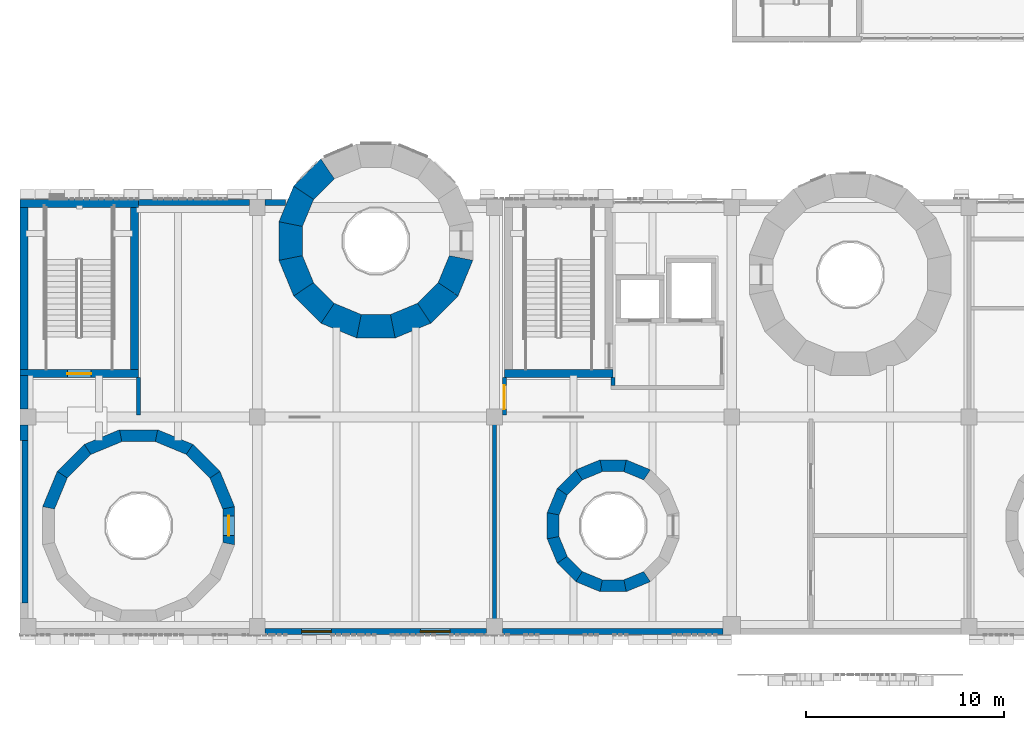
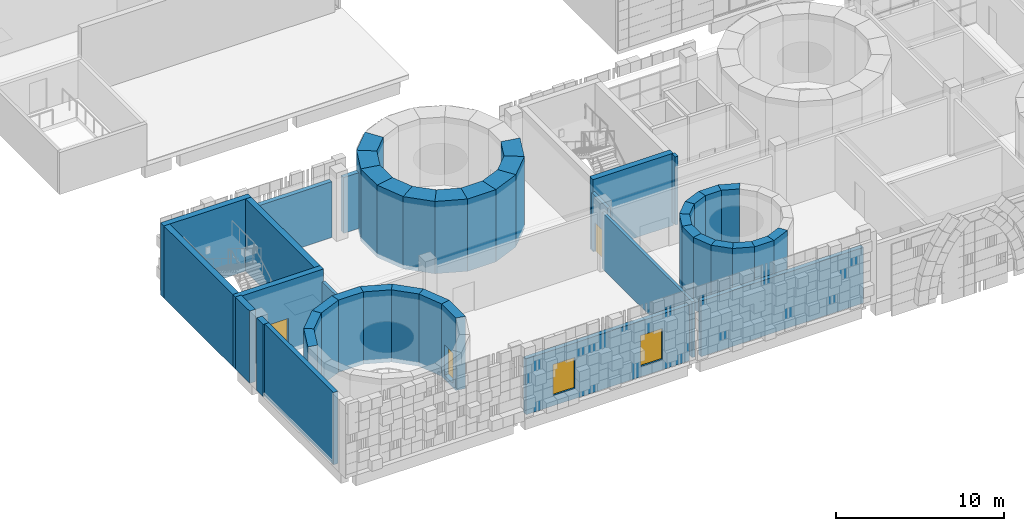
# One storey, part 64 of 125: 45 walls, 3 doors, 2 windows, 5 openings.
"""IFC4 building model written with IfcOpenShell, lengths in metres."""

from ifc_helpers import new_model, si_unit, direction, frame, frame_2d, origin, place, context, subcontext, project, spatial, polyline, rectangle, outline, extrude, material, layer, layer_set, type_object, element, fill, save


model = new_model("IFC4")

# Units and contexts
model_context = context("Model", 3, precision=1e-05, world=origin(), true_north=direction((0.0, 1.0)))
body_context = subcontext(model_context, "Body", "Model", "MODEL_VIEW")
ifc_project = project(units=[si_unit("LENGTHUNIT", "METRE"), si_unit("AREAUNIT", "SQUARE_METRE"), si_unit("VOLUMEUNIT", "CUBIC_METRE"), si_unit("PLANEANGLEUNIT", "RADIAN"), si_unit("MASSUNIT", "GRAM", prefix="KILO")], contexts=[model_context])

# Site, building, storey
site_placement = place(None, origin())
site = spatial("IfcSite", under=ifc_project, at=site_placement, CompositionType="ELEMENT")
building_placement = place(site_placement, origin())
building = spatial("IfcBuilding", under=site, at=building_placement, Name="Sun Court Science Centre", CompositionType="ELEMENT")
storey_placement = place(building_placement, frame((0.0, 0.0, 6.0)))
storey = spatial("IfcBuildingStorey", under=building, at=storey_placement, Name="L01", CompositionType="ELEMENT", Elevation=6.0)

# Wall
ifc_material_1 = material(Name="Clay masonry", Category="masonry")
ifc_layer_1 = layer(ifc_material_1, 0.300048828125)
ifc_layer_set_1 = layer_set([ifc_layer_1], Name="Clay masonry")
wall_type_1 = type_object("IfcWallType", Name="Clay masonry infill wall 300", PredefinedType="SOLIDWALL", material=ifc_layer_set_1)
wall_1_placement = place(storey_placement, frame((35.550048828125, 6.14990234375, 0.0), z_axis=(0.0, 0.0, 1.0), x_axis=(-1.0, 0.0, 0.0)))
element("IfcWall", 1, at=wall_1_placement, inside=storey, type_object=wall_type_1, Name="External infill wall L01 south face 04", PredefinedType="SOLIDWALL", context=body_context, shape_type="SweptSolid", body=[
    extrude(rectangle(XDim=11.150146484375, YDim=0.300048828125, at=frame_2d((5.5751953125, 0.0))), origin(), (0.0, 0.0, 1.0), 4.050048828125),
])

# Wall, openings, windows
wall_2_placement = place(storey_placement, frame((23.60009765625, 6.14990234375, 0.0), z_axis=(0.0, 0.0, 1.0), x_axis=(-1.0, 0.0, 0.0)))
wall_2 = element("IfcWall", 2, at=wall_2_placement, inside=storey, type_object=wall_type_1, Name="External infill wall L01 south face 05", PredefinedType="SOLIDWALL", context=body_context, shape_type="SweptSolid", body=[
    extrude(rectangle(XDim=11.2001953125, YDim=0.300048828125, at=frame_2d((5.60009765625, 0.0))), origin(), (0.0, 0.0, 1.0), 4.050048828125),
])
opening_1_placement = place(wall_2_placement, frame((7.85009765625, 0.0, 0.75)))
opening_1 = element("IfcOpeningElement", 3, at=opening_1_placement, cuts=wall_2, Name="Opening WN-L01-001", PredefinedType="OPENING", context=body_context, shape_type="SweptSolid", body=[
    extrude(rectangle(XDim=1.5, YDim=2.25, at=frame_2d((0.75, 1.125))), frame((0.0, 0.159912109375, 0.0), z_axis=(0.0, -1.0, 0.0), x_axis=(1.0, 0.0, 0.0)), (0.0, 0.0, 1.0), 0.320068359375),
])
opening_2_placement = place(wall_2_placement, frame((1.85009765625, 0.0, 0.75)))
opening_2 = element("IfcOpeningElement", 4, at=opening_2_placement, cuts=wall_2, Name="Opening WN-L01-002", PredefinedType="OPENING", context=body_context, shape_type="SweptSolid", body=[
    extrude(rectangle(XDim=1.5, YDim=2.25, at=frame_2d((0.75, 1.125))), frame((0.0, 0.159912109375, 0.0), z_axis=(0.0, -1.0, 0.0), x_axis=(1.0, 0.0, 0.0)), (0.0, 0.0, 1.0), 0.320068359375),
])
ifc_material_2 = material(Name="Aluminium frame, 6-12-6 glazing", Category="aluminium")
window_type = type_object("IfcWindowType", Name="Slot window 1500 x 2250", PartitioningType="SINGLE_PANEL", PredefinedType="WINDOW", material=ifc_material_2)
window_1_placement = place(opening_1_placement, origin())
window_1 = element("IfcWindow", 5, at=window_1_placement, inside=storey, type_object=window_type, Name="Window WN2 L01 south face 01", OverallHeight=2.25, OverallWidth=1.5, PartitioningType="SINGLE_PANEL", PredefinedType="WINDOW", context=body_context, shape_type="SweptSolid", body=[
    extrude(rectangle(XDim=1.5, YDim=2.25, at=frame_2d((0.75, 1.125))), frame((0.0, 0.030029296875, 0.0), z_axis=(0.0, -1.0, 0.0), x_axis=(1.0, 0.0, 0.0)), (0.0, 0.0, 1.0), 0.06005859375),
])
fill(opening_1, window_1)
window_2_placement = place(opening_2_placement, origin())
window_2 = element("IfcWindow", 6, at=window_2_placement, inside=storey, type_object=window_type, Name="Window WN2 L01 south face 02", OverallHeight=2.25, OverallWidth=1.5, PartitioningType="SINGLE_PANEL", PredefinedType="WINDOW", context=body_context, shape_type="SweptSolid", body=[
    extrude(rectangle(XDim=1.5, YDim=2.25, at=frame_2d((0.75, 1.125))), frame((0.0, 0.030029296875, 0.0), z_axis=(0.0, -1.0, 0.0), x_axis=(1.0, 0.0, 0.0)), (0.0, 0.0, 1.0), 0.06005859375),
])
fill(opening_2, window_2)

# Walls
wall_3_placement = place(storey_placement, frame((6.0, 27.85009765625, 0.0), z_axis=(0.0, 0.0, 1.0), x_axis=(1.0, 0.0, 0.0)))
element("IfcWall", 7, at=wall_3_placement, inside=storey, type_object=wall_type_1, Name="External infill wall L01 north face 01", PredefinedType="SOLIDWALL", context=body_context, shape_type="SweptSolid", body=[
    extrude(rectangle(XDim=5.60009765625, YDim=0.300048828125, at=frame_2d((2.800048828125, 0.0))), origin(), (0.0, 0.0, 1.0), 4.050048828125),
])
wall_4_placement = place(storey_placement, frame((12.39990234375, 27.85009765625, 0.0), z_axis=(0.0, 0.0, 1.0), x_axis=(1.0, 0.0, 0.0)))
element("IfcWall", 8, at=wall_4_placement, inside=storey, type_object=wall_type_1, Name="External infill wall L01 north face 02", PredefinedType="SOLIDWALL", context=body_context, shape_type="SweptSolid", body=[
    extrude(rectangle(XDim=1.03759765625, YDim=0.300048828125, at=frame_2d((0.518798828125, 0.0))), origin(), (0.0, 0.0, 1.0), 4.050048828125),
])
ifc_material_3 = material(Name="Concrete block", Category="concrete")
ifc_layer_2 = layer(ifc_material_3, 0.199951171875)
ifc_layer_set_2 = layer_set([ifc_layer_2], Name="Concrete block")
wall_type_2 = type_object("IfcWallType", Name="Partition 200 block EI60", PredefinedType="PARTITIONING", material=ifc_layer_set_2)
wall_5_placement = place(storey_placement, frame((30.0, 18.60009765625, 0.0), z_axis=(0.0, 0.0, 1.0), x_axis=(0.0, 1.0, 0.0)))
element("IfcWall", 9, at=wall_5_placement, inside=storey, type_object=wall_type_2, Name="L01 partition 017", PredefinedType="PARTITIONING", context=body_context, shape_type="SweptSolid", body=[
    extrude(rectangle(XDim=0.39794921875, YDim=0.199951171875, at=frame_2d((0.198974609375, 0.0))), origin(), (0.0, 0.0, 1.0), 4.949951171875),
])

# Wall, opening, door
ifc_material_4 = material(Name="Gypsum board")
ifc_layer_3 = layer(ifc_material_4, 0.199951171875)
ifc_layer_set_3 = layer_set([ifc_layer_3], Name="Gypsum board")
wall_type_3 = type_object("IfcWallType", Name="Partition 200 stud EI30", PredefinedType="PARTITIONING", material=ifc_layer_set_3)
wall_6_placement = place(storey_placement, frame((24.5, 18.998046875, 0.0), z_axis=(0.0, 0.0, 1.0), x_axis=(0.0, -1.0, 0.0)))
wall_6 = element("IfcWall", 10, at=wall_6_placement, inside=storey, type_object=wall_type_3, Name="L01 partition 018", PredefinedType="PARTITIONING", context=body_context, shape_type="SweptSolid", body=[
    extrude(rectangle(XDim=1.89794921875, YDim=0.199951171875, at=frame_2d((0.948974609375, 0.0))), origin(), (0.0, 0.0, 1.0), 4.050048828125),
])
opening_3_placement = place(wall_6_placement, frame((0.39697265625, 0.0, 0.0)))
opening_3 = element("IfcOpeningElement", 11, at=opening_3_placement, cuts=wall_6, Name="Opening D-L01-019", PredefinedType="OPENING", context=body_context, shape_type="SweptSolid", body=[
    extrude(rectangle(XDim=1.199951171875, YDim=2.10009765625, at=frame_2d((0.60009765625, 1.050048828125))), frame((0.0, 0.10986328125, 0.0), z_axis=(0.0, -1.0, 0.0), x_axis=(1.0, 0.0, 0.0)), (0.0, 0.0, 1.0), 0.219970703125),
])
ifc_material_5 = material(Name="Timber", Category="wood")
door_type_1 = type_object("IfcDoorType", Name="Door 1200x2100 single leaf", OperationType="NOTDEFINED", PredefinedType="DOOR", material=ifc_material_5)
door_1_placement = place(opening_3_placement, origin())
door_1 = element("IfcDoor", 12, at=door_1_placement, inside=storey, type_object=door_type_1, Name="Door D-L01-019", OperationType="SINGLE_SWING_LEFT", OverallHeight=2.10009765625, OverallWidth=1.199951171875, PredefinedType="DOOR", context=body_context, shape_type="SweptSolid", body=[
    extrude(rectangle(XDim=1.199951171875, YDim=2.10009765625, at=frame_2d((0.60009765625, 1.050048828125))), frame((0.0, 0.02490234375, 0.0), z_axis=(0.0, -1.0, 0.0), x_axis=(1.0, 0.0, 0.0)), (0.0, 0.0, 1.0), 0.050048828125),
])
fill(opening_3, door_1)

# Walls
wall_7_placement = place(storey_placement, frame((24.0, 6.199951171875, 0.0), z_axis=(0.0, 0.0, 1.0), x_axis=(0.0, 1.0, 0.0)))
element("IfcWall", 13, at=wall_7_placement, inside=storey, type_object=wall_type_3, Name="L01 partition 019", PredefinedType="PARTITIONING", context=body_context, shape_type="SweptSolid", body=[
    extrude(rectangle(XDim=10.699951171875, YDim=0.199951171875, at=frame_2d((5.35009765625, 0.0))), origin(), (0.0, 0.0, 1.0), 4.050048828125),
])
wall_8_placement = place(storey_placement, frame((6.0, 17.10009765625, 0.0), z_axis=(0.0, 0.0, 1.0), x_axis=(0.0, 1.0, 0.0)))
element("IfcWall", 14, at=wall_8_placement, inside=storey, type_object=wall_type_3, Name="L01 partition 020", PredefinedType="PARTITIONING", context=body_context, shape_type="SweptSolid", body=[
    extrude(rectangle(XDim=1.89794921875, YDim=0.199951171875, at=frame_2d((0.948974609375, 0.0))), origin(), (0.0, 0.0, 1.0), 4.050048828125),
])
ifc_material_6 = material(Name="Concrete C30/37", Category="concrete")
ifc_layer_4 = layer(ifc_material_6, 1.18798828125)
ifc_layer_set_4 = layer_set([ifc_layer_4], Name="Concrete C30/37")
wall_type_4 = type_object("IfcWallType", Name="RC cone ring wall 1188", PredefinedType="SHEAR", material=ifc_layer_set_4)
wall_9_placement = place(storey_placement, frame((15.642333984375, 29.63720703125, -0.300048828125), z_axis=(0.0, 0.0, 1.0), x_axis=(-0.707044208134, -0.707169348702, 0.0)))
element("IfcWall", 15, at=wall_9_placement, inside=storey, type_object=wall_type_4, Name="Cone 2 ring wall L01 segment 6", PredefinedType="SHEAR", context=body_context, shape_type="SweptSolid", body=[
    extrude(outline(polyline([(0.0, -0.59423828125), (1.95068359375, -0.594482421875), (1.714599609375, 0.593994140625), (0.236328125, 0.59423828125), (0.0, -0.59423828125)])), origin(), (0.0, 0.0, 1.0), 5.25),
])
wall_10_placement = place(storey_placement, frame((14.3916015625, 28.450439453125, -0.300048828125), z_axis=(0.0, 0.0, 1.0), x_axis=(-0.382668614316, -0.923885670209, 0.0)))
element("IfcWall", 16, at=wall_10_placement, inside=storey, type_object=wall_type_4, Name="Cone 2 ring wall L01 segment 7", PredefinedType="SHEAR", context=body_context, shape_type="SweptSolid", body=[
    extrude(outline(polyline([(-0.000244140625, -0.59423828125), (1.95068359375, -0.59423828125), (1.714599609375, 0.59423828125), (0.236328125, 0.59423828125), (-0.000244140625, -0.59423828125)])), origin(), (0.0, 0.0, 1.0), 5.25),
])
wall_11_placement = place(storey_placement, frame((13.6904296875, 26.87548828125, -0.300048828125), z_axis=(0.0, 0.0, 1.0), x_axis=(0.0, -1.0, 0.0)))
element("IfcWall", 17, at=wall_11_placement, inside=storey, type_object=wall_type_4, Name="Cone 2 ring wall L01 segment 8", PredefinedType="SHEAR", context=body_context, shape_type="SweptSolid", body=[
    extrude(outline(polyline([(0.0, -0.59423828125), (1.950927734375, -0.59423828125), (1.714599609375, 0.593994140625), (0.236572265625, 0.593994140625), (0.0, -0.59423828125)])), origin(), (0.0, 0.0, 1.0), 5.25),
])
wall_12_placement = place(storey_placement, frame((13.64501953125, 25.15185546875, -0.300048828125), z_axis=(0.0, 0.0, 1.0), x_axis=(0.382712860146, -0.923867342576, 0.0)))
element("IfcWall", 18, at=wall_12_placement, inside=storey, type_object=wall_type_4, Name="Cone 2 ring wall L01 segment 9", PredefinedType="SHEAR", context=body_context, shape_type="SweptSolid", body=[
    extrude(outline(polyline([(0.0, -0.593994140625), (1.950927734375, -0.59423828125), (1.71435546875, 0.59423828125), (0.236328125, 0.59423828125), (0.0, -0.593994140625)])), origin(), (0.0, 0.0, 1.0), 5.25),
])
wall_13_placement = place(storey_placement, frame((14.262939453125, 23.542236328125, -0.300048828125), z_axis=(0.0, 0.0, 1.0), x_axis=(0.707106781187, -0.707106781187, 0.0)))
element("IfcWall", 19, at=wall_13_placement, inside=storey, type_object=wall_type_4, Name="Cone 2 ring wall L01 segment 10", PredefinedType="SHEAR", context=body_context, shape_type="SweptSolid", body=[
    extrude(outline(polyline([(0.0, -0.59423828125), (1.95068359375, -0.59423828125), (1.71435546875, 0.594482421875), (0.236083984375, 0.59423828125), (0.0, -0.59423828125)])), origin(), (0.0, 0.0, 1.0), 5.25),
])
wall_14_placement = place(storey_placement, frame((15.449462890625, 22.291748046875, -0.300048828125), z_axis=(0.0, 0.0, 1.0), x_axis=(0.923885670209, -0.382668614316, 0.0)))
element("IfcWall", 20, at=wall_14_placement, inside=storey, type_object=wall_type_4, Name="Cone 2 ring wall L01 segment 11", PredefinedType="SHEAR", context=body_context, shape_type="SweptSolid", body=[
    extrude(outline(polyline([(0.0, -0.59423828125), (1.950927734375, -0.59423828125), (1.714599609375, 0.59423828125), (0.236572265625, 0.59423828125), (0.0, -0.59423828125)])), origin(), (0.0, 0.0, 1.0), 5.25),
])
wall_15_placement = place(storey_placement, frame((17.024658203125, 21.59033203125, -0.300048828125), z_axis=(0.0, 0.0, 1.0), x_axis=(1.0, 0.0, 0.0)))
element("IfcWall", 21, at=wall_15_placement, inside=storey, type_object=wall_type_4, Name="Cone 2 ring wall L01 segment 12", PredefinedType="SHEAR", context=body_context, shape_type="SweptSolid", body=[
    extrude(outline(polyline([(-0.000244140625, -0.59423828125), (1.950927734375, -0.59423828125), (1.71435546875, 0.59423828125), (0.236328125, 0.59423828125), (-0.000244140625, -0.59423828125)])), origin(), (0.0, 0.0, 1.0), 5.25),
])
wall_16_placement = place(storey_placement, frame((18.748046875, 21.545166015625, -0.300048828125), z_axis=(0.0, 0.0, 1.0), x_axis=(0.923885670209, 0.382668614316, 0.0)))
element("IfcWall", 22, at=wall_16_placement, inside=storey, type_object=wall_type_4, Name="Cone 2 ring wall L01 segment 13", PredefinedType="SHEAR", context=body_context, shape_type="SweptSolid", body=[
    extrude(outline(polyline([(0.0, -0.59423828125), (1.950927734375, -0.59423828125), (1.71435546875, 0.59423828125), (0.236328125, 0.59423828125), (0.0, -0.59423828125)])), origin(), (0.0, 0.0, 1.0), 5.25),
])
wall_17_placement = place(storey_placement, frame((20.357666015625, 22.162841796875, -0.300048828125), z_axis=(0.0, 0.0, 1.0), x_axis=(0.707106781187, 0.707106781187, 0.0)))
element("IfcWall", 23, at=wall_17_placement, inside=storey, type_object=wall_type_4, Name="Cone 2 ring wall L01 segment 14", PredefinedType="SHEAR", context=body_context, shape_type="SweptSolid", body=[
    extrude(outline(polyline([(0.0, -0.59423828125), (1.95068359375, -0.59423828125), (1.714599609375, 0.59423828125), (0.236328125, 0.594482421875), (0.0, -0.59423828125)])), origin(), (0.0, 0.0, 1.0), 5.25),
])
wall_18_placement = place(storey_placement, frame((21.6083984375, 23.349609375, -0.300048828125), z_axis=(0.0, 0.0, 1.0), x_axis=(0.382712860146, 0.923867342576, 0.0)))
element("IfcWall", 24, at=wall_18_placement, inside=storey, type_object=wall_type_4, Name="Cone 2 ring wall L01 segment 15", PredefinedType="SHEAR", context=body_context, shape_type="SweptSolid", body=[
    extrude(outline(polyline([(-0.000244140625, -0.59423828125), (1.950927734375, -0.593994140625), (1.71435546875, 0.59423828125), (0.236328125, 0.59423828125), (-0.000244140625, -0.59423828125)])), origin(), (0.0, 0.0, 1.0), 5.25),
])
ifc_material_7 = material(Name="Concrete C30/37", Category="concrete")
ifc_layer_5 = layer(ifc_material_7, 0.60009765625)
ifc_layer_set_5 = layer_set([ifc_layer_5], Name="Concrete C30/37")
wall_type_5 = type_object("IfcWallType", Name="RC cone ring wall 600", PredefinedType="SHEAR", material=ifc_layer_set_5)
wall_19_placement = place(storey_placement, frame((10.57763671875, 12.350830078125, -0.300048828125), z_axis=(0.0, 0.0, 1.0), x_axis=(-0.382630895081, 0.923901292417, 0.0)))
element("IfcWall", 25, at=wall_19_placement, inside=storey, type_object=wall_type_5, Name="Cone 1 ring wall L01 segment 1", PredefinedType="SHEAR", context=body_context, shape_type="SweptSolid", body=[
    extrude(outline(polyline([(0.0, -0.30029296875), (1.931396484375, -0.2998046875), (1.81201171875, 0.300048828125), (0.119140625, 0.300048828125), (0.0, -0.30029296875)])), origin(), (0.0, 0.0, 1.0), 5.25),
])
wall_20_placement = place(storey_placement, frame((9.903564453125, 14.037841796875, -0.300048828125), z_axis=(0.0, 0.0, 1.0), x_axis=(-0.707106781187, 0.707106781187, 0.0)))
element("IfcWall", 26, at=wall_20_placement, inside=storey, type_object=wall_type_5, Name="Cone 1 ring wall L01 segment 2", PredefinedType="SHEAR", context=body_context, shape_type="SweptSolid", body=[
    extrude(outline(polyline([(0.0, -0.300048828125), (1.931396484375, -0.300048828125), (1.81201171875, 0.2998046875), (0.119384765625, 0.2998046875), (0.0, -0.300048828125)])), origin(), (0.0, 0.0, 1.0), 5.25),
])
wall_21_placement = place(storey_placement, frame((8.63525390625, 15.338623046875, -0.300048828125), z_axis=(0.0, 0.0, 1.0), x_axis=(-0.923901292417, 0.382630895081, 0.0)))
element("IfcWall", 27, at=wall_21_placement, inside=storey, type_object=wall_type_5, Name="Cone 1 ring wall L01 segment 3", PredefinedType="SHEAR", context=body_context, shape_type="SweptSolid", body=[
    extrude(outline(polyline([(0.0, -0.2998046875), (1.931396484375, -0.30029296875), (1.812255859375, 0.300048828125), (0.119384765625, 0.300048828125), (0.0, -0.2998046875)])), origin(), (0.0, 0.0, 1.0), 5.25),
])
wall_22_placement = place(storey_placement, frame((6.965576171875, 16.054931640625, -0.300048828125), z_axis=(0.0, 0.0, 1.0), x_axis=(-1.0, 0.0, 0.0)))
element("IfcWall", 28, at=wall_22_placement, inside=storey, type_object=wall_type_5, Name="Cone 1 ring wall L01 segment 4", PredefinedType="SHEAR", context=body_context, shape_type="SweptSolid", body=[
    extrude(outline(polyline([(-0.000244140625, -0.300048828125), (1.931396484375, -0.300048828125), (1.811767578125, 0.300048828125), (0.119384765625, 0.300048828125), (-0.000244140625, -0.300048828125)])), origin(), (0.0, 0.0, 1.0), 5.25),
])
wall_23_placement = place(storey_placement, frame((5.149169921875, 16.07763671875, -0.300048828125), z_axis=(0.0, 0.0, 1.0), x_axis=(-0.923901292417, -0.382630895081, 0.0)))
element("IfcWall", 29, at=wall_23_placement, inside=storey, type_object=wall_type_5, Name="Cone 1 ring wall L01 segment 5", PredefinedType="SHEAR", context=body_context, shape_type="SweptSolid", body=[
    extrude(outline(polyline([(0.0, -0.30029296875), (1.931396484375, -0.2998046875), (1.81201171875, 0.300048828125), (0.119140625, 0.300048828125), (0.0, -0.30029296875)])), origin(), (0.0, 0.0, 1.0), 5.25),
])
wall_24_placement = place(storey_placement, frame((3.462158203125, 15.403564453125, -0.300048828125), z_axis=(0.0, 0.0, 1.0), x_axis=(-0.707106781187, -0.707106781187, 0.0)))
element("IfcWall", 30, at=wall_24_placement, inside=storey, type_object=wall_type_5, Name="Cone 1 ring wall L01 segment 6", PredefinedType="SHEAR", context=body_context, shape_type="SweptSolid", body=[
    extrude(outline(polyline([(0.0, -0.300048828125), (1.931396484375, -0.300048828125), (1.81201171875, 0.2998046875), (0.119384765625, 0.2998046875), (0.0, -0.300048828125)])), origin(), (0.0, 0.0, 1.0), 5.25),
])
wall_25_placement = place(storey_placement, frame((2.161376953125, 14.13525390625, -0.300048828125), z_axis=(0.0, 0.0, 1.0), x_axis=(-0.382630895081, -0.923901292417, 0.0)))
element("IfcWall", 31, at=wall_25_placement, inside=storey, type_object=wall_type_5, Name="Cone 1 ring wall L01 segment 7", PredefinedType="SHEAR", context=body_context, shape_type="SweptSolid", body=[
    extrude(outline(polyline([(0.0, -0.2998046875), (1.931396484375, -0.30029296875), (1.812255859375, 0.300048828125), (0.119384765625, 0.300048828125), (0.0, -0.2998046875)])), origin(), (0.0, 0.0, 1.0), 5.25),
])

# Wall, opening, door
wall_26_placement = place(storey_placement, frame((10.554931640625, 10.534423828125, -0.300048828125), z_axis=(0.0, 0.0, 1.0), x_axis=(0.0, 1.0, 0.0)))
wall_26 = element("IfcWall", 32, at=wall_26_placement, inside=storey, type_object=wall_type_5, Name="Cone 1 ring wall L01 segment 16", PredefinedType="SHEAR", context=body_context, shape_type="SweptSolid", body=[
    extrude(outline(polyline([(-0.000244140625, -0.300048828125), (1.931396484375, -0.300048828125), (1.811767578125, 0.300048828125), (0.119384765625, 0.300048828125), (-0.000244140625, -0.300048828125)])), origin(), (0.0, 0.0, 1.0), 5.25),
])
opening_4_placement = place(wall_26_placement, frame((0.465576171875, 0.0, 0.300048828125)))
opening_4 = element("IfcOpeningElement", 33, at=opening_4_placement, cuts=wall_26, Name="Opening D-L01-020", PredefinedType="OPENING", context=body_context, shape_type="SweptSolid", body=[
    extrude(rectangle(XDim=1.0, YDim=2.199951171875, at=frame_2d((0.5, 1.10009765625))), frame((0.0, 0.31005859375, 0.0), z_axis=(0.0, -1.0, 0.0), x_axis=(1.0, 0.0, 0.0)), (0.0, 0.0, 1.0), 0.6201171875),
])
ifc_material_8 = material(Name="Timber", Category="wood")
door_type_2 = type_object("IfcDoorType", Name="Door 1000x2200 single leaf", OperationType="NOTDEFINED", PredefinedType="DOOR", material=ifc_material_8)
door_2_placement = place(opening_4_placement, origin())
door_2 = element("IfcDoor", 34, at=door_2_placement, inside=storey, type_object=door_type_2, Name="Door D-L01-020", OperationType="SINGLE_SWING_LEFT", OverallHeight=2.199951171875, OverallWidth=1.0, PredefinedType="DOOR", context=body_context, shape_type="SweptSolid", body=[
    extrude(rectangle(XDim=1.0, YDim=2.199951171875, at=frame_2d((0.5, 1.10009765625))), frame((0.0, 0.02490234375, 0.0), z_axis=(0.0, -1.0, 0.0), x_axis=(1.0, 0.0, 0.0)), (0.0, 0.0, 1.0), 0.050048828125),
])
fill(opening_4, door_2)

# Walls
wall_27_placement = place(storey_placement, frame((31.774169921875, 14.0498046875, -0.300048828125), z_axis=(0.0, 0.0, 1.0), x_axis=(-0.923837370253, 0.382785205205, 0.0)))
element("IfcWall", 35, at=wall_27_placement, inside=storey, type_object=wall_type_5, Name="Cone 3 ring wall L01 segment 3", PredefinedType="SHEAR", context=body_context, shape_type="SweptSolid", body=[
    extrude(outline(polyline([(0.0, -0.2998046875), (1.32666015625, -0.2998046875), (1.207275390625, 0.30029296875), (0.119384765625, 0.300048828125), (0.0, -0.2998046875)])), origin(), (0.0, 0.0, 1.0), 5.25),
])
wall_28_placement = place(storey_placement, frame((30.663330078125, 14.53466796875, -0.300048828125), z_axis=(0.0, 0.0, 1.0), x_axis=(-1.0, 0.0, 0.0)))
element("IfcWall", 36, at=wall_28_placement, inside=storey, type_object=wall_type_5, Name="Cone 3 ring wall L01 segment 4", PredefinedType="SHEAR", context=body_context, shape_type="SweptSolid", body=[
    extrude(outline(polyline([(0.0, -0.300048828125), (1.32666015625, -0.300048828125), (1.207275390625, 0.300048828125), (0.119384765625, 0.300048828125), (0.0, -0.300048828125)])), origin(), (0.0, 0.0, 1.0), 5.25),
])
wall_29_placement = place(storey_placement, frame((29.451416015625, 14.5576171875, -0.300048828125), z_axis=(0.0, 0.0, 1.0), x_axis=(-0.923837370253, -0.382785205205, 0.0)))
element("IfcWall", 37, at=wall_29_placement, inside=storey, type_object=wall_type_5, Name="Cone 3 ring wall L01 segment 5", PredefinedType="SHEAR", context=body_context, shape_type="SweptSolid", body=[
    extrude(outline(polyline([(0.0, -0.2998046875), (1.32666015625, -0.2998046875), (1.207275390625, 0.300048828125), (0.119384765625, 0.30029296875), (0.0, -0.2998046875)])), origin(), (0.0, 0.0, 1.0), 5.25),
])
wall_30_placement = place(storey_placement, frame((28.3232421875, 14.11474609375, -0.300048828125), z_axis=(0.0, 0.0, 1.0), x_axis=(-0.707106781187, -0.707106781187, 0.0)))
element("IfcWall", 38, at=wall_30_placement, inside=storey, type_object=wall_type_5, Name="Cone 3 ring wall L01 segment 6", PredefinedType="SHEAR", context=body_context, shape_type="SweptSolid", body=[
    extrude(outline(polyline([(0.0, -0.300048828125), (1.326416015625, -0.300048828125), (1.207275390625, 0.2998046875), (0.119384765625, 0.2998046875), (0.0, -0.300048828125)])), origin(), (0.0, 0.0, 1.0), 5.25),
])
wall_31_placement = place(storey_placement, frame((27.4501953125, 13.274169921875, -0.300048828125), z_axis=(0.0, 0.0, 1.0), x_axis=(-0.382785205205, -0.923837370253, 0.0)))
element("IfcWall", 39, at=wall_31_placement, inside=storey, type_object=wall_type_5, Name="Cone 3 ring wall L01 segment 7", PredefinedType="SHEAR", context=body_context, shape_type="SweptSolid", body=[
    extrude(outline(polyline([(0.0, -0.2998046875), (1.32666015625, -0.2998046875), (1.207275390625, 0.30029296875), (0.119384765625, 0.300048828125), (0.0, -0.2998046875)])), origin(), (0.0, 0.0, 1.0), 5.25),
])
wall_32_placement = place(storey_placement, frame((26.96533203125, 12.163330078125, -0.300048828125), z_axis=(0.0, 0.0, 1.0), x_axis=(0.0, -1.0, 0.0)))
element("IfcWall", 40, at=wall_32_placement, inside=storey, type_object=wall_type_5, Name="Cone 3 ring wall L01 segment 8", PredefinedType="SHEAR", context=body_context, shape_type="SweptSolid", body=[
    extrude(outline(polyline([(0.0, -0.300048828125), (1.32666015625, -0.300048828125), (1.207275390625, 0.300048828125), (0.119384765625, 0.300048828125), (0.0, -0.300048828125)])), origin(), (0.0, 0.0, 1.0), 5.25),
])
wall_33_placement = place(storey_placement, frame((26.9423828125, 10.951416015625, -0.300048828125), z_axis=(0.0, 0.0, 1.0), x_axis=(0.382785205205, -0.923837370253, 0.0)))
element("IfcWall", 41, at=wall_33_placement, inside=storey, type_object=wall_type_5, Name="Cone 3 ring wall L01 segment 9", PredefinedType="SHEAR", context=body_context, shape_type="SweptSolid", body=[
    extrude(outline(polyline([(0.0, -0.2998046875), (1.32666015625, -0.2998046875), (1.207275390625, 0.300048828125), (0.119384765625, 0.30029296875), (0.0, -0.2998046875)])), origin(), (0.0, 0.0, 1.0), 5.25),
])
wall_34_placement = place(storey_placement, frame((27.38525390625, 9.8232421875, -0.300048828125), z_axis=(0.0, 0.0, 1.0), x_axis=(0.707106781187, -0.707106781187, 0.0)))
element("IfcWall", 42, at=wall_34_placement, inside=storey, type_object=wall_type_5, Name="Cone 3 ring wall L01 segment 10", PredefinedType="SHEAR", context=body_context, shape_type="SweptSolid", body=[
    extrude(outline(polyline([(0.0, -0.300048828125), (1.326416015625, -0.300048828125), (1.207275390625, 0.2998046875), (0.119384765625, 0.2998046875), (0.0, -0.300048828125)])), origin(), (0.0, 0.0, 1.0), 5.25),
])
wall_35_placement = place(storey_placement, frame((28.225830078125, 8.9501953125, -0.300048828125), z_axis=(0.0, 0.0, 1.0), x_axis=(0.923837370253, -0.382785205205, 0.0)))
element("IfcWall", 43, at=wall_35_placement, inside=storey, type_object=wall_type_5, Name="Cone 3 ring wall L01 segment 11", PredefinedType="SHEAR", context=body_context, shape_type="SweptSolid", body=[
    extrude(outline(polyline([(0.0, -0.2998046875), (1.32666015625, -0.2998046875), (1.207275390625, 0.30029296875), (0.119384765625, 0.300048828125), (0.0, -0.2998046875)])), origin(), (0.0, 0.0, 1.0), 5.25),
])
wall_36_placement = place(storey_placement, frame((29.336669921875, 8.46533203125, -0.300048828125), z_axis=(0.0, 0.0, 1.0), x_axis=(1.0, 0.0, 0.0)))
element("IfcWall", 44, at=wall_36_placement, inside=storey, type_object=wall_type_5, Name="Cone 3 ring wall L01 segment 12", PredefinedType="SHEAR", context=body_context, shape_type="SweptSolid", body=[
    extrude(outline(polyline([(0.0, -0.300048828125), (1.32666015625, -0.300048828125), (1.207275390625, 0.300048828125), (0.119384765625, 0.300048828125), (0.0, -0.300048828125)])), origin(), (0.0, 0.0, 1.0), 5.25),
])
wall_37_placement = place(storey_placement, frame((30.548583984375, 8.4423828125, -0.300048828125), z_axis=(0.0, 0.0, 1.0), x_axis=(0.923837370253, 0.382785205205, 0.0)))
element("IfcWall", 45, at=wall_37_placement, inside=storey, type_object=wall_type_5, Name="Cone 3 ring wall L01 segment 13", PredefinedType="SHEAR", context=body_context, shape_type="SweptSolid", body=[
    extrude(outline(polyline([(0.0, -0.2998046875), (1.32666015625, -0.2998046875), (1.207275390625, 0.300048828125), (0.119384765625, 0.30029296875), (0.0, -0.2998046875)])), origin(), (0.0, 0.0, 1.0), 5.25),
])
ifc_material_9 = material(Name="Concrete C30/37", Category="concrete")
ifc_layer_6 = layer(ifc_material_9, 0.39990234375)
ifc_layer_set_6 = layer_set([ifc_layer_6], Name="Concrete C30/37")
wall_type_6 = type_object("IfcWallType", Name="RC party wall exterior 400", PredefinedType="SOLIDWALL", material=ifc_layer_set_6)
wall_38_placement = place(storey_placement, frame((0.199951171875, 15.800048828125, -0.300048828125), z_axis=(0.0, 0.0, 1.0), x_axis=(0.0, 1.0, 0.0)))
element("IfcWall", 46, at=wall_38_placement, inside=storey, type_object=wall_type_6, Name="West party wall L01", PredefinedType="SOLIDWALL", context=body_context, shape_type="SweptSolid", body=[
    extrude(rectangle(XDim=0.800048828125, YDim=0.39990234375, at=frame_2d((0.39990234375, 0.0))), origin(), (0.0, 0.0, 1.0), 5.25),
])
wall_39_placement = place(storey_placement, frame((0.199951171875, 17.39990234375, -0.300048828125), z_axis=(0.0, 0.0, 1.0), x_axis=(0.0, 1.0, 0.0)))
element("IfcWall", 47, at=wall_39_placement, inside=storey, type_object=wall_type_6, Name="West party wall L01", PredefinedType="SOLIDWALL", context=body_context, shape_type="SweptSolid", body=[
    extrude(rectangle(XDim=1.7001953125, YDim=0.39990234375, at=frame_2d((0.85009765625, 0.0))), origin(), (0.0, 0.0, 1.0), 5.25),
])
ifc_material_10 = material(Name="Concrete C30/37", Category="concrete")
ifc_layer_7 = layer(ifc_material_10, 0.300048828125)
ifc_layer_set_7 = layer_set([ifc_layer_7], Name="Concrete C30/37")
wall_type_7 = type_object("IfcWallType", Name="RC party wall panel exterior 300", PredefinedType="SOLIDWALL", material=ifc_layer_set_7)
wall_40_placement = place(storey_placement, frame((0.25, 7.60009765625, -0.300048828125), z_axis=(0.0, 0.0, 1.0), x_axis=(0.0, 1.0, 0.0)))
element("IfcWall", 48, at=wall_40_placement, inside=storey, type_object=wall_type_7, Name="West party wall L01 panel", PredefinedType="SOLIDWALL", context=body_context, shape_type="SweptSolid", body=[
    extrude(rectangle(XDim=8.199951171875, YDim=0.300048828125, at=frame_2d((4.10009765625, 0.0))), origin(), (0.0, 0.0, 1.0), 5.25),
])

# Wall, opening, door
ifc_material_11 = material(Name="Concrete C30/37", Category="concrete")
ifc_layer_8 = layer(ifc_material_11, 0.39990234375)
ifc_layer_set_8 = layer_set([ifc_layer_8], Name="Concrete C30/37")
wall_type_8 = type_object("IfcWallType", Name="RC stair core wall 400", PredefinedType="SHEAR", material=ifc_layer_set_8)
wall_41_placement = place(storey_placement, frame((0.0, 19.199951171875, -0.300048828125), z_axis=(0.0, 0.0, 1.0), x_axis=(1.0, 0.0, 0.0)))
wall_41 = element("IfcWall", 49, at=wall_41_placement, inside=storey, type_object=wall_type_8, Name="Stair core SB1 wall S, L01", PredefinedType="SHEAR", context=body_context, shape_type="SweptSolid", body=[
    extrude(rectangle(XDim=6.0, YDim=0.39990234375, at=frame_2d((3.0, 0.0))), origin(), (0.0, 0.0, 1.0), 5.25),
])
opening_5_placement = place(wall_41_placement, frame((2.39892578125, 0.0, 0.300048828125)))
opening_5 = element("IfcOpeningElement", 50, at=opening_5_placement, cuts=wall_41, Name="Opening D-L01-006", PredefinedType="OPENING", context=body_context, shape_type="SweptSolid", body=[
    extrude(rectangle(XDim=1.199951171875, YDim=2.199951171875, at=frame_2d((0.60009765625, 1.10009765625))), frame((0.0, 0.2099609375, 0.0), z_axis=(0.0, -1.0, 0.0), x_axis=(1.0, 0.0, 0.0)), (0.0, 0.0, 1.0), 0.419921875),
])
ifc_material_12 = material(Name="Steel", Category="steel")
door_type_3 = type_object("IfcDoorType", Name="Door 1200x2200 single leaf FD60", OperationType="NOTDEFINED", PredefinedType="DOOR", material=ifc_material_12)
door_3_placement = place(opening_5_placement, origin())
door_3 = element("IfcDoor", 51, at=door_3_placement, inside=storey, type_object=door_type_3, Name="Door D-L01-006", OperationType="SINGLE_SWING_RIGHT", OverallHeight=2.199951171875, OverallWidth=1.199951171875, PredefinedType="DOOR", context=body_context, shape_type="SweptSolid", body=[
    extrude(rectangle(XDim=1.199951171875, YDim=2.199951171875, at=frame_2d((0.60009765625, 1.10009765625))), frame((0.0, 0.02490234375, 0.0), z_axis=(0.0, -1.0, 0.0), x_axis=(1.0, 0.0, 0.0)), (0.0, 0.0, 1.0), 0.050048828125),
])
fill(opening_5, door_3)

# Walls
wall_42_placement = place(storey_placement, frame((5.800048828125, 19.39990234375, -0.300048828125), z_axis=(0.0, 0.0, 1.0), x_axis=(0.0, 1.0, 0.0)))
element("IfcWall", 52, at=wall_42_placement, inside=storey, type_object=wall_type_8, Name="Stair core SB1 wall E, L01", PredefinedType="SHEAR", context=body_context, shape_type="SweptSolid", body=[
    extrude(rectangle(XDim=8.2001953125, YDim=0.39990234375, at=frame_2d((4.10009765625, 0.0))), origin(), (0.0, 0.0, 1.0), 5.25),
])
wall_43_placement = place(storey_placement, frame((0.0, 27.800048828125, -0.300048828125), z_axis=(0.0, 0.0, 1.0), x_axis=(1.0, 0.0, 0.0)))
element("IfcWall", 53, at=wall_43_placement, inside=storey, type_object=wall_type_8, Name="Stair core SB1 wall N, L01", PredefinedType="SHEAR", context=body_context, shape_type="SweptSolid", body=[
    extrude(rectangle(XDim=6.0, YDim=0.39990234375, at=frame_2d((3.0, 0.0))), origin(), (0.0, 0.0, 1.0), 5.25),
])
wall_44_placement = place(storey_placement, frame((0.199951171875, 19.39990234375, -0.300048828125), z_axis=(0.0, 0.0, 1.0), x_axis=(0.0, 1.0, 0.0)))
element("IfcWall", 54, at=wall_44_placement, inside=storey, type_object=wall_type_8, Name="Stair core SB1 wall W, L01", PredefinedType="SHEAR", context=body_context, shape_type="SweptSolid", body=[
    extrude(rectangle(XDim=8.2001953125, YDim=0.39990234375, at=frame_2d((4.10009765625, 0.0))), origin(), (0.0, 0.0, 1.0), 5.25),
])
wall_45_placement = place(storey_placement, frame((24.5, 19.199951171875, -0.300048828125), z_axis=(0.0, 0.0, 1.0), x_axis=(1.0, 0.0, 0.0)))
element("IfcWall", 55, at=wall_45_placement, inside=storey, type_object=wall_type_8, Name="Stair core SB2 wall S, L01", PredefinedType="SHEAR", context=body_context, shape_type="SweptSolid", body=[
    extrude(rectangle(XDim=5.5, YDim=0.39990234375, at=frame_2d((2.75, 0.0))), origin(), (0.0, 0.0, 1.0), 5.25),
])

save(model, "model.ifc")
